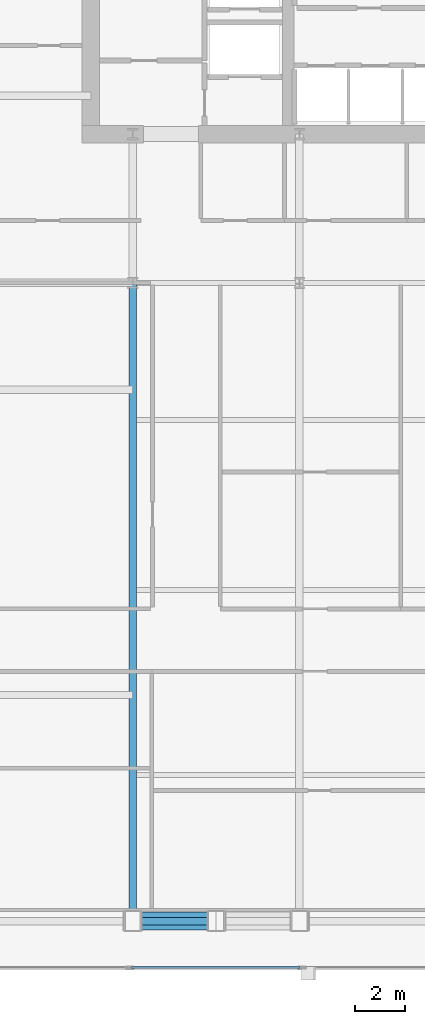
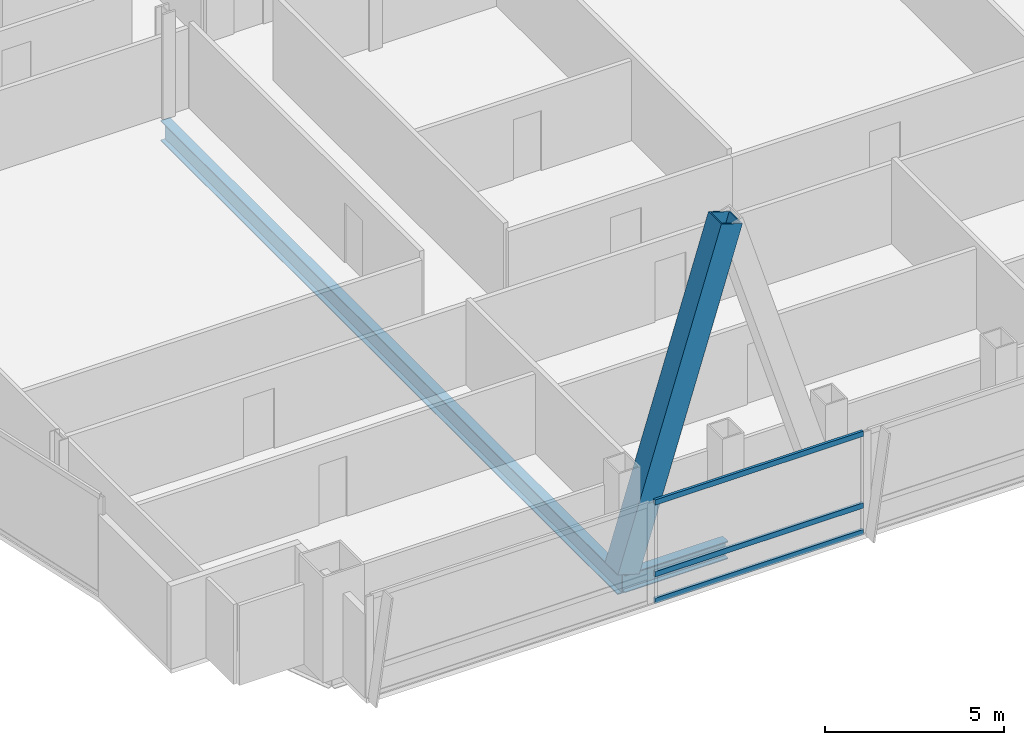
# One storey, part 7 of 30: 4 members, 2 beams, 1 element without a shape of its own.
"""IFC4 building model written with IfcOpenShell, lengths in metres."""

from ifc_helpers import new_model, si_unit, direction, frame, origin, origin_2d, place, context, subcontext, project, spatial, hollow_rectangle, i_section, extrude, material, material_profile, profile_set, type_object, element, aggregate, save


model = new_model("IFC4")

# Units and contexts
model_context = context("Model", 3, precision=1e-05, world=origin(), true_north=direction((0.0, 1.0)))
body_context = subcontext(model_context, "Body", "Model", "MODEL_VIEW")
ifc_project = project(units=[si_unit("LENGTHUNIT", "METRE"), si_unit("AREAUNIT", "SQUARE_METRE"), si_unit("VOLUMEUNIT", "CUBIC_METRE"), si_unit("PLANEANGLEUNIT", "RADIAN"), si_unit("MASSUNIT", "GRAM", prefix="KILO")], contexts=[model_context])

# Site, building, storey
site_placement = place(None, origin())
site = spatial("IfcSite", under=ifc_project, at=site_placement, CompositionType="ELEMENT")
building_placement = place(site_placement, origin())
building = spatial("IfcBuilding", under=site, at=building_placement, Name="Khoronbel Lancet Exchange", CompositionType="ELEMENT")
storey_placement = place(building_placement, frame((0.0, 0.0, 157.800048828125)))
storey = spatial("IfcBuildingStorey", under=building, at=storey_placement, Name="L39", CompositionType="ELEMENT", Elevation=157.800048828125)

# Beams
ifc_material_1 = material(Name="Steel S355", Category="steel")
ifc_material_profile_1 = material_profile(ifc_material_1, i_section(OverallWidth=0.300048828125, OverallDepth=0.699951171875, WebThickness=0.01708984375, FlangeThickness=0.031982421875, at=origin_2d()), Name="HEB 700")
ifc_profile_set_1 = profile_set([ifc_material_profile_1], Name="Steel S355")
beam_type_1 = type_object("IfcBeamType", Name="BM-BG3", PredefinedType="BEAM", material=ifc_profile_set_1)
beam_1_placement = place(storey_placement, frame((18.22509765625, 10.14990234375, -0.510009765625), z_axis=(0.0, 1.0, 0.0), x_axis=(-1.0, 0.0, 0.0)))
element("IfcBeam", 1, at=beam_1_placement, inside=storey, type_object=beam_type_1, Name="Level L39 south primary girder GS1", PredefinedType="BEAM", context=body_context, shape_type="SweptSolid", body=[
    extrude(i_section(OverallWidth=0.300048828125, OverallDepth=0.699951171875, WebThickness=0.01708984375, FlangeThickness=0.031982421875, at=origin_2d()), origin(), (0.0, 0.0, 1.0), 25.550048828125),
])
ifc_material_profile_2 = material_profile(ifc_material_1, i_section(OverallWidth=0.300048828125, OverallDepth=0.60009765625, WebThickness=0.015380859375, FlangeThickness=0.030029296875, at=origin_2d()), Name="HEB 600")
ifc_profile_set_2 = profile_set([ifc_material_profile_2], Name="Steel S355")
beam_type_2 = type_object("IfcBeamType", Name="BM-BSP2", PredefinedType="SPANDREL", material=ifc_profile_set_2)
beam_2_placement = place(storey_placement, frame((18.22509765625, 10.14990234375, -0.4599609375), z_axis=(1.0, 0.0, 0.0), x_axis=(0.0, 1.0, 0.0)))
element("IfcBeam", 2, at=beam_2_placement, inside=storey, type_object=beam_type_2, Name="Level L39 perimeter spandrel beam SP02", PredefinedType="SPANDREL", context=body_context, shape_type="SweptSolid", body=[
    extrude(i_section(OverallWidth=0.300048828125, OverallDepth=0.60009765625, WebThickness=0.015380859375, FlangeThickness=0.030029296875, at=origin_2d()), origin(), (0.0, 0.0, 1.0), 3.33740234375),
])

# Curtain wall, members
ifc_material_2 = material(Name="Low-E Solar Control Insulating Glass", Category="glass")
curtain_wall_type = type_object("IfcCurtainWallType", Name="CW-3", PredefinedType="NOTDEFINED", material=ifc_material_2)
curtain_wall_placement = place(storey_placement, origin())
curtain_wall = element("IfcCurtainWall", 3, at=curtain_wall_placement, inside=storey, type_object=curtain_wall_type, Name="Unitised curtain wall CW-L39-SWB", PredefinedType="NOTDEFINED")
ifc_material_3 = material(Name="Bronze-Anodised Aluminium 6063-T6", Category="aluminium")
ifc_material_profile_3 = material_profile(ifc_material_3, hollow_rectangle(XDim=0.0849609375, YDim=0.179931640625, WallThickness=0.0048828125, at=origin_2d()), Name="ALU TRANSOM 85x180")
ifc_profile_set_3 = profile_set([ifc_material_profile_3], Name="Bronze-Anodised Aluminium 6063-T6")
member_type_1 = type_object("IfcMemberType", Name="MEM-CWT1", PredefinedType="USERDEFINED", material=ifc_profile_set_3)
member_1_placement = place(storey_placement, frame((18.18505859375, 8.2900390625, 0.04248046875), z_axis=(1.0, 0.0, 0.0), x_axis=(0.0, 1.0, 0.0)))
member_1 = element("IfcMember", 4, at=member_1_placement, type_object=member_type_1, Name="CW3 transom 1.1", ObjectType="TRANSOM", PredefinedType="USERDEFINED", context=body_context, shape_type="SweptSolid", body=[
    extrude(hollow_rectangle(XDim=0.0849609375, YDim=0.179931640625, WallThickness=0.0048828125, at=origin_2d()), origin(), (0.0, 0.0, 1.0), 6.72998046875),
])
member_2_placement = place(storey_placement, frame((18.18505859375, 8.2900390625, 0.949951171875), z_axis=(1.0, 0.0, 0.0), x_axis=(0.0, 1.0, 0.0)))
member_2 = element("IfcMember", 5, at=member_2_placement, type_object=member_type_1, Name="CW3 transom 1.2", ObjectType="TRANSOM", PredefinedType="USERDEFINED", context=body_context, shape_type="SweptSolid", body=[
    extrude(hollow_rectangle(XDim=0.0849609375, YDim=0.179931640625, WallThickness=0.0048828125, at=origin_2d()), origin(), (0.0, 0.0, 1.0), 6.72998046875),
])
member_3_placement = place(storey_placement, frame((18.18505859375, 8.2900390625, 3.3974609375), z_axis=(1.0, 0.0, 0.0), x_axis=(0.0, 1.0, 0.0)))
member_3 = element("IfcMember", 6, at=member_3_placement, type_object=member_type_1, Name="CW3 transom 1.3", ObjectType="TRANSOM", PredefinedType="USERDEFINED", context=body_context, shape_type="SweptSolid", body=[
    extrude(hollow_rectangle(XDim=0.0849609375, YDim=0.179931640625, WallThickness=0.0048828125, at=origin_2d()), origin(), (0.0, 0.0, 1.0), 6.72998046875),
])
aggregate(curtain_wall, [member_1, member_2, member_3])

# Member
ifc_material_4 = material(Name="Steel S460", Category="steel")
ifc_material_profile_4 = material_profile(ifc_material_4, hollow_rectangle(XDim=0.719970703125, YDim=0.719970703125, WallThickness=0.050048828125, at=origin_2d()), Name="BOX 720x720x50")
ifc_profile_set_4 = profile_set([ifc_material_profile_4], Name="Steel S460")
member_type_2 = type_object("IfcMemberType", Name="MEM-MB2", PredefinedType="BRACE", material=ifc_profile_set_4)
member_4_placement = place(storey_placement, frame((18.22509765625, 10.14990234375, 0.0), z_axis=(0.295242108906, 0.0, 0.955422470496), x_axis=(0.0, 1.0, 0.0)))
element("IfcMember", 7, at=member_4_placement, inside=storey, type_object=member_type_2, Name="Perimeter lancet brace tier 13 S-W-L", PredefinedType="BRACE", context=body_context, shape_type="SweptSolid", body=[
    extrude(hollow_rectangle(XDim=0.719970703125, YDim=0.719970703125, WallThickness=0.050048828125, at=origin_2d()), origin(), (0.0, 0.0, 1.0), 11.303955078125),
])

save(model, "model.ifc")
